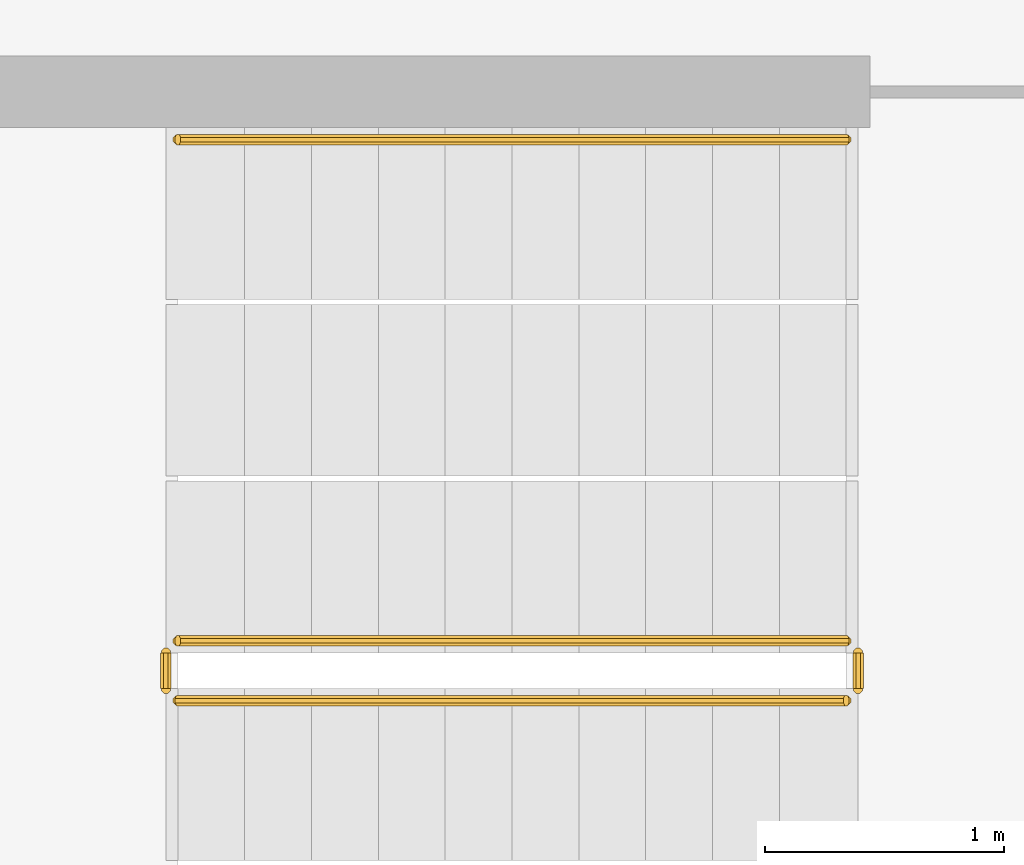
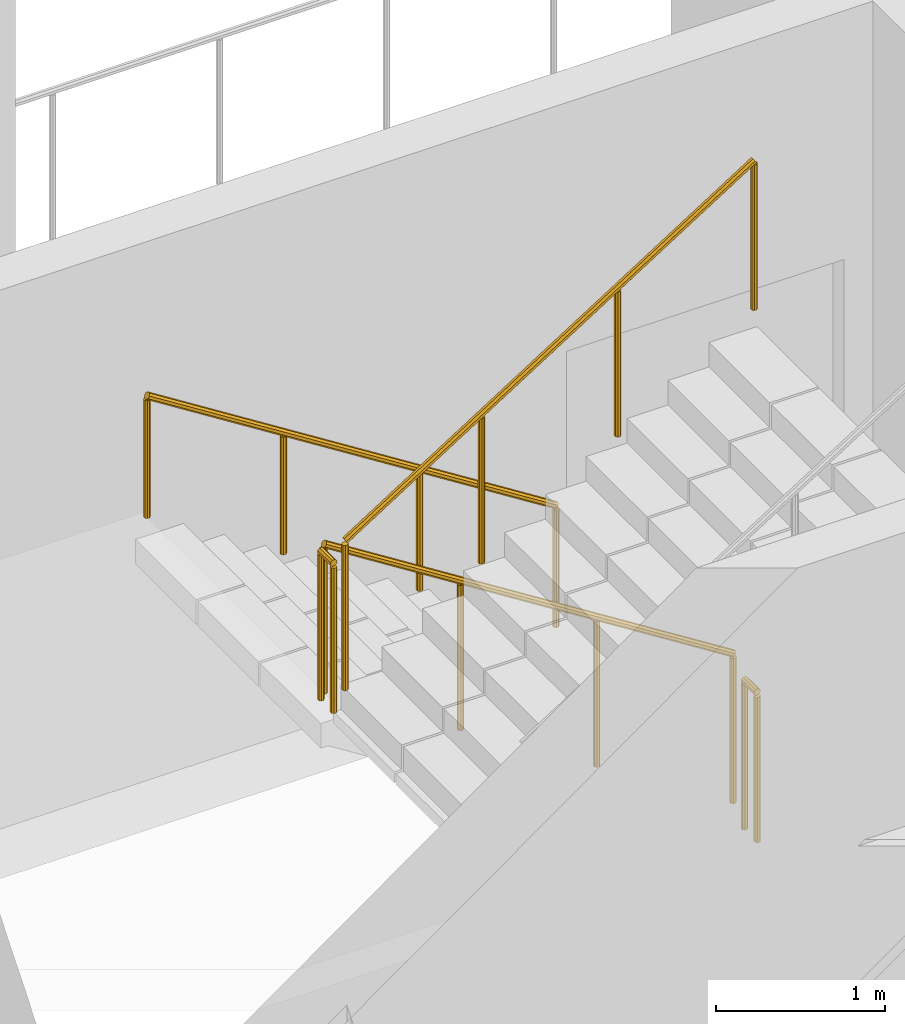
# One storey, part 19 of 26: 5 railings.
"""IFC4 building model written with IfcOpenShell, lengths in metres."""

from ifc_helpers import new_model, si_unit, direction, frame, origin, place, context, subcontext, project, spatial, polyline, outline, extrude, material, type_object, element, save


model = new_model("IFC4")

# Units and contexts
model_context = context("Model", 3, precision=1e-05, world=origin(), true_north=direction((0.0, 1.0)))
body_context = subcontext(model_context, "Body", "Model", "MODEL_VIEW")
ifc_project = project(units=[si_unit("LENGTHUNIT", "METRE"), si_unit("AREAUNIT", "SQUARE_METRE"), si_unit("VOLUMEUNIT", "CUBIC_METRE"), si_unit("PLANEANGLEUNIT", "RADIAN"), si_unit("MASSUNIT", "GRAM", prefix="KILO")], contexts=[model_context])

# Site, building, storey
site_placement = place(None, origin())
site = spatial("IfcSite", under=ifc_project, at=site_placement, CompositionType="ELEMENT")
building_placement = place(site_placement, origin())
building = spatial("IfcBuilding", under=site, at=building_placement, Name="Cormorant Relay Tower", CompositionType="ELEMENT")
storey_placement = place(building_placement, frame((0.0, 0.0, 236.39990234375)))
storey = spatial("IfcBuildingStorey", under=building, at=storey_placement, Name="L52", CompositionType="ELEMENT", Elevation=236.39990234375)

# Railings
ifc_material_1 = material(Name="Steel ASTM A572 Grade 50 (Fy 345 MPa)", Category="steel")
railing_type_1 = type_object("IfcRailingType", Name="Stair guard 1100", PredefinedType="GUARDRAIL", material=ifc_material_1)
railing_1_placement = place(storey_placement, frame((1.60009765625, -18.27490234375, 0.177490234375)))
element("IfcRailing", 1, at=railing_1_placement, inside=storey, type_object=railing_type_1, Name="L52 RK1 stair guard 1", PredefinedType="GUARDRAIL", context=body_context, shape_type="SweptSolid", body=[
    extrude(outline(polyline([(0.022216796875, 0.00927734375), (0.00927734375, 0.022216796875), (-0.00927734375, 0.022216796875), (-0.022216796875, 0.00927734375), (-0.022216796875, -0.00927734375), (-0.00927734375, -0.022216796875), (0.00927734375, -0.022216796875), (0.022216796875, -0.00927734375), (0.022216796875, 0.00927734375)])), frame((0.0, 0.0, 1.076171875), z_axis=(-0.844908973607, 0.0, 0.534910110503), x_axis=(0.0, -1.0, 0.0)), (0.0, 0.0, 1.0), 3.31396484375),
    extrude(outline(polyline([(0.019287109375, 0.008056640625), (0.008056640625, 0.019287109375), (-0.008056640625, 0.019287109375), (-0.019287109375, 0.008056640625), (-0.019287109375, -0.008056640625), (-0.008056640625, -0.019287109375), (0.008056640625, -0.019287109375), (0.019287109375, -0.008056640625), (0.019287109375, 0.008056640625)])), origin(), (0.0, 0.0, 1.0), 1.052001953125),
    extrude(outline(polyline([(0.019287109375, 0.008056640625), (0.008056640625, 0.019287109375), (-0.008056640625, 0.019287109375), (-0.019287109375, 0.008056640625), (-0.019287109375, -0.008056640625), (-0.008056640625, -0.019287109375), (0.008056640625, -0.019287109375), (0.019287109375, -0.008056640625), (0.019287109375, 0.008056640625)])), frame((-0.933349609375, 0.0, 0.5908203125)), (0.0, 0.0, 1.0), 1.052001953125),
    extrude(outline(polyline([(0.019287109375, 0.008056640625), (0.008056640625, 0.019287109375), (-0.008056640625, 0.019287109375), (-0.019287109375, 0.008056640625), (-0.019287109375, -0.008056640625), (-0.008056640625, -0.019287109375), (0.008056640625, -0.019287109375), (0.019287109375, -0.008056640625), (0.019287109375, 0.008056640625)])), frame((-1.86669921875, 0.0, 1.181884765625)), (0.0, 0.0, 1.0), 1.052001953125),
    extrude(outline(polyline([(0.019287109375, 0.008056640625), (0.008056640625, 0.019287109375), (-0.008056640625, 0.019287109375), (-0.019287109375, 0.008056640625), (-0.019287109375, -0.008056640625), (-0.008056640625, -0.019287109375), (0.008056640625, -0.019287109375), (0.019287109375, -0.008056640625), (0.019287109375, 0.008056640625)])), frame((-2.800048828125, 0.0, 1.772705078125)), (0.0, 0.0, 1.0), 1.052001953125),
])
railing_2_placement = place(storey_placement, frame((-1.25, -18.324951171875, 1.9501953125)))
element("IfcRailing", 2, at=railing_2_placement, inside=storey, type_object=railing_type_1, Name="L52 RK1 stair guard 2", PredefinedType="GUARDRAIL", context=body_context, shape_type="SweptSolid", body=[
    extrude(outline(polyline([(0.022216796875, 0.00927734375), (0.00927734375, 0.022216796875), (-0.00927734375, 0.022216796875), (-0.022216796875, 0.00927734375), (-0.022216796875, -0.00927734375), (-0.00927734375, -0.022216796875), (0.00927734375, -0.022216796875), (0.022216796875, -0.00927734375), (0.022216796875, 0.00927734375)])), frame((0.0, 0.0, 1.076171875), z_axis=(0.0, -1.0, 0.0), x_axis=(1.0, 0.0, 0.0)), (0.0, 0.0, 1.0), 0.150146484375),
    extrude(outline(polyline([(0.019287109375, 0.008056640625), (0.008056640625, 0.019287109375), (-0.008056640625, 0.019287109375), (-0.019287109375, 0.008056640625), (-0.019287109375, -0.008056640625), (-0.008056640625, -0.019287109375), (0.008056640625, -0.019287109375), (0.019287109375, -0.008056640625), (0.019287109375, 0.008056640625)])), origin(), (0.0, 0.0, 1.0), 1.052001953125),
    extrude(outline(polyline([(0.019287109375, 0.008056640625), (0.008056640625, 0.019287109375), (-0.008056640625, 0.019287109375), (-0.019287109375, 0.008056640625), (-0.019287109375, -0.008056640625), (-0.008056640625, -0.019287109375), (0.008056640625, -0.019287109375), (0.019287109375, -0.008056640625), (0.019287109375, 0.008056640625)])), frame((0.0, -0.150146484375, 0.0)), (0.0, 0.0, 1.0), 1.052001953125),
])
railing_3_placement = place(storey_placement, frame((-1.199951171875, -18.52490234375, 2.12744140625)))
element("IfcRailing", 3, at=railing_3_placement, inside=storey, type_object=railing_type_1, Name="L52 RK1 stair guard 3", PredefinedType="GUARDRAIL", context=body_context, shape_type="SweptSolid", body=[
    extrude(outline(polyline([(0.022216796875, 0.00927734375), (0.00927734375, 0.022216796875), (-0.00927734375, 0.022216796875), (-0.022216796875, 0.00927734375), (-0.022216796875, -0.00927734375), (-0.00927734375, -0.022216796875), (0.00927734375, -0.022216796875), (0.022216796875, -0.00927734375), (0.022216796875, 0.00927734375)])), frame((0.0, 0.0, 1.076171875), z_axis=(0.844908973607, 0.0, 0.534910110503), x_axis=(0.0, 1.0, 0.0)), (0.0, 0.0, 1.0), 3.31396484375),
    extrude(outline(polyline([(0.019287109375, 0.008056640625), (0.008056640625, 0.019287109375), (-0.008056640625, 0.019287109375), (-0.019287109375, 0.008056640625), (-0.019287109375, -0.008056640625), (-0.008056640625, -0.019287109375), (0.008056640625, -0.019287109375), (0.019287109375, -0.008056640625), (0.019287109375, 0.008056640625)])), origin(), (0.0, 0.0, 1.0), 1.052001953125),
    extrude(outline(polyline([(0.019287109375, 0.008056640625), (0.008056640625, 0.019287109375), (-0.008056640625, 0.019287109375), (-0.019287109375, 0.008056640625), (-0.019287109375, -0.008056640625), (-0.008056640625, -0.019287109375), (0.008056640625, -0.019287109375), (0.019287109375, -0.008056640625), (0.019287109375, 0.008056640625)])), frame((0.933349609375, 0.0, 0.5908203125)), (0.0, 0.0, 1.0), 1.052001953125),
    extrude(outline(polyline([(0.019287109375, 0.008056640625), (0.008056640625, 0.019287109375), (-0.008056640625, 0.019287109375), (-0.019287109375, 0.008056640625), (-0.019287109375, -0.008056640625), (-0.008056640625, -0.019287109375), (0.008056640625, -0.019287109375), (0.019287109375, -0.008056640625), (0.019287109375, 0.008056640625)])), frame((1.86669921875, 0.0, 1.181884765625)), (0.0, 0.0, 1.0), 1.052001953125),
    extrude(outline(polyline([(0.019287109375, 0.008056640625), (0.008056640625, 0.019287109375), (-0.008056640625, 0.019287109375), (-0.019287109375, 0.008056640625), (-0.019287109375, -0.008056640625), (-0.008056640625, -0.019287109375), (0.008056640625, -0.019287109375), (0.019287109375, -0.008056640625), (0.019287109375, 0.008056640625)])), frame((2.800048828125, 0.0, 1.772705078125)), (0.0, 0.0, 1.0), 1.052001953125),
])
railing_4_placement = place(storey_placement, frame((1.64990234375, -18.324951171875, 0.0)))
element("IfcRailing", 4, at=railing_4_placement, inside=storey, type_object=railing_type_1, Name="L52 RK1 stair guard 4", PredefinedType="GUARDRAIL", context=body_context, shape_type="SweptSolid", body=[
    extrude(outline(polyline([(0.022216796875, 0.00927734375), (0.00927734375, 0.022216796875), (-0.00927734375, 0.022216796875), (-0.022216796875, 0.00927734375), (-0.022216796875, -0.00927734375), (-0.00927734375, -0.022216796875), (0.00927734375, -0.022216796875), (0.022216796875, -0.00927734375), (0.022216796875, 0.00927734375)])), frame((0.0, 0.0, 1.076171875), z_axis=(0.0, -1.0, 0.0), x_axis=(1.0, 0.0, 0.0)), (0.0, 0.0, 1.0), 0.150146484375),
    extrude(outline(polyline([(0.019287109375, 0.008056640625), (0.008056640625, 0.019287109375), (-0.008056640625, 0.019287109375), (-0.019287109375, 0.008056640625), (-0.019287109375, -0.008056640625), (-0.008056640625, -0.019287109375), (0.008056640625, -0.019287109375), (0.019287109375, -0.008056640625), (0.019287109375, 0.008056640625)])), origin(), (0.0, 0.0, 1.0), 1.052001953125),
    extrude(outline(polyline([(0.019287109375, 0.008056640625), (0.008056640625, 0.019287109375), (-0.008056640625, 0.019287109375), (-0.019287109375, 0.008056640625), (-0.019287109375, -0.008056640625), (-0.008056640625, -0.019287109375), (0.008056640625, -0.019287109375), (0.019287109375, -0.008056640625), (0.019287109375, 0.008056640625)])), frame((0.0, -0.150146484375, 0.0)), (0.0, 0.0, 1.0), 1.052001953125),
])
ifc_material_2 = material(Name="Steel ASTM A572 Grade 50 (Fy 345 MPa)", Category="steel")
railing_type_2 = type_object("IfcRailingType", Name="Stair handrail 900", PredefinedType="HANDRAIL", material=ifc_material_2)
railing_5_placement = place(storey_placement, frame((1.60009765625, -16.175048828125, 0.177490234375)))
element("IfcRailing", 5, at=railing_5_placement, inside=storey, type_object=railing_type_2, Name="L52 RK1 stair handrail 1", PredefinedType="HANDRAIL", context=body_context, shape_type="SweptSolid", body=[
    extrude(outline(polyline([(0.022216796875, 0.00927734375), (0.00927734375, 0.022216796875), (-0.00927734375, 0.022216796875), (-0.022216796875, 0.00927734375), (-0.022216796875, -0.00927734375), (-0.00927734375, -0.022216796875), (0.00927734375, -0.022216796875), (0.022216796875, -0.00927734375), (0.022216796875, 0.00927734375)])), frame((0.0, 0.0, 0.8759765625), z_axis=(-0.844908973607, 0.0, 0.534910110503), x_axis=(0.0, -1.0, 0.0)), (0.0, 0.0, 1.0), 3.31396484375),
    extrude(outline(polyline([(0.019287109375, 0.008056640625), (0.008056640625, 0.019287109375), (-0.008056640625, 0.019287109375), (-0.019287109375, 0.008056640625), (-0.019287109375, -0.008056640625), (-0.008056640625, -0.019287109375), (0.008056640625, -0.019287109375), (0.019287109375, -0.008056640625), (0.019287109375, 0.008056640625)])), origin(), (0.0, 0.0, 1.0), 0.851806640625),
    extrude(outline(polyline([(0.019287109375, 0.008056640625), (0.008056640625, 0.019287109375), (-0.008056640625, 0.019287109375), (-0.019287109375, 0.008056640625), (-0.019287109375, -0.008056640625), (-0.008056640625, -0.019287109375), (0.008056640625, -0.019287109375), (0.019287109375, -0.008056640625), (0.019287109375, 0.008056640625)])), frame((-0.933349609375, 0.0, 0.5908203125)), (0.0, 0.0, 1.0), 0.851806640625),
    extrude(outline(polyline([(0.019287109375, 0.008056640625), (0.008056640625, 0.019287109375), (-0.008056640625, 0.019287109375), (-0.019287109375, 0.008056640625), (-0.019287109375, -0.008056640625), (-0.008056640625, -0.019287109375), (0.008056640625, -0.019287109375), (0.019287109375, -0.008056640625), (0.019287109375, 0.008056640625)])), frame((-1.86669921875, 0.0, 1.181884765625)), (0.0, 0.0, 1.0), 0.851806640625),
    extrude(outline(polyline([(0.019287109375, 0.008056640625), (0.008056640625, 0.019287109375), (-0.008056640625, 0.019287109375), (-0.019287109375, 0.008056640625), (-0.019287109375, -0.008056640625), (-0.008056640625, -0.019287109375), (0.008056640625, -0.019287109375), (0.019287109375, -0.008056640625), (0.019287109375, 0.008056640625)])), frame((-2.800048828125, 0.0, 1.772705078125)), (0.0, 0.0, 1.0), 0.851806640625),
])

save(model, "model.ifc")
